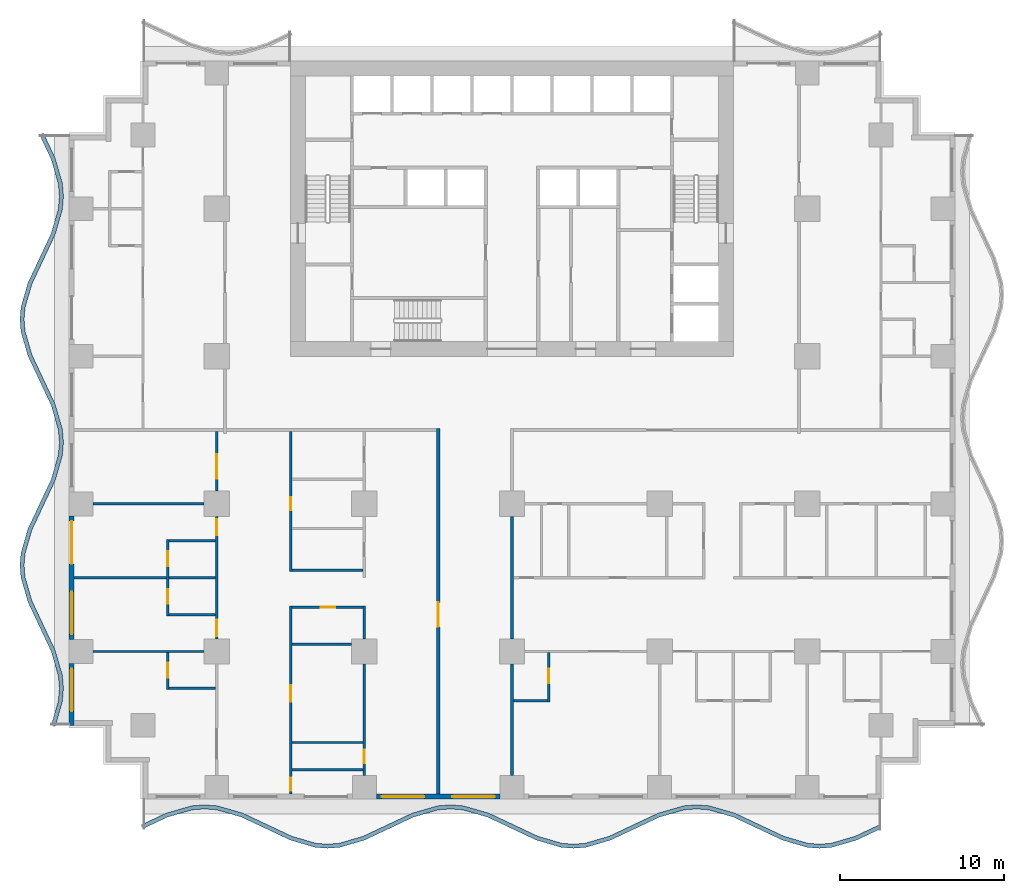
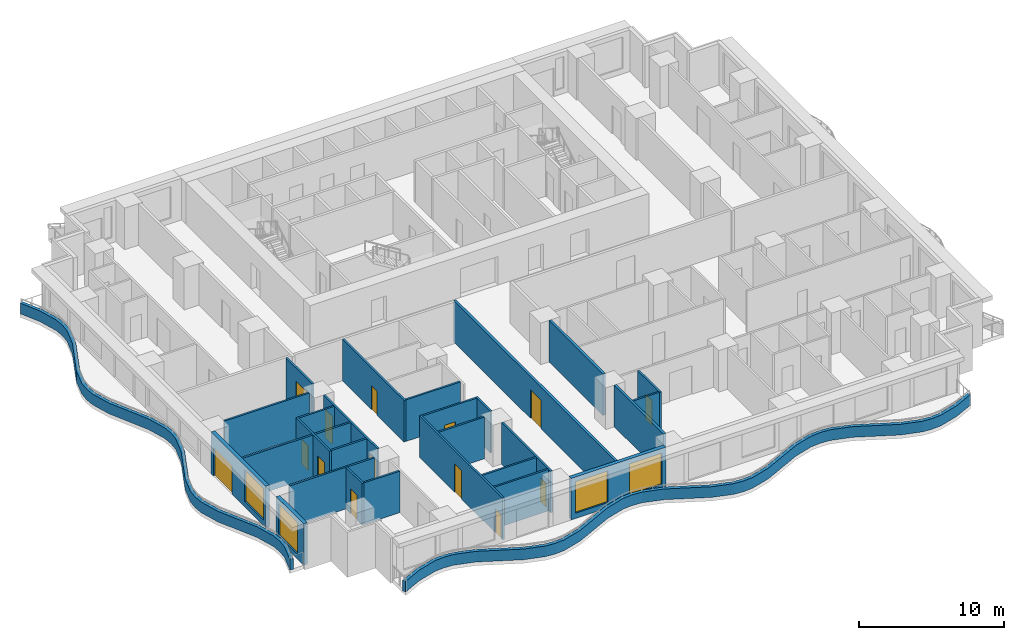
# One storey, part 2 of 14: 30 walls, 14 doors, 4 windows, 18 openings.
"""IFC4 building model written with IfcOpenShell, lengths in metres."""

from ifc_helpers import new_model, si_unit, direction, frame, frame_2d, origin, place, context, subcontext, project, spatial, polyline, rectangle, outline, extrude, material, layer, layer_set, type_object, element, fill, save


model = new_model("IFC4")

# Units and contexts
model_context = context("Model", 3, precision=1e-05, world=origin(), true_north=direction((0.0, 1.0)))
body_context = subcontext(model_context, "Body", "Model", "MODEL_VIEW")
ifc_project = project(units=[si_unit("LENGTHUNIT", "METRE"), si_unit("AREAUNIT", "SQUARE_METRE"), si_unit("VOLUMEUNIT", "CUBIC_METRE"), si_unit("PLANEANGLEUNIT", "RADIAN"), si_unit("MASSUNIT", "GRAM", prefix="KILO")], contexts=[model_context])

# Site, building, storey
site_placement = place(None, origin())
site = spatial("IfcSite", under=ifc_project, at=site_placement, CompositionType="ELEMENT")
building_placement = place(site_placement, origin())
building = spatial("IfcBuilding", under=site, at=building_placement, Name="Orbiselva Terraces", CompositionType="ELEMENT")
storey_placement = place(building_placement, frame((0.0, 0.0, 30.2)))
storey = spatial("IfcBuildingStorey", under=building, at=storey_placement, Name="L07", CompositionType="ELEMENT", Elevation=30.2)

# Walls
ifc_material_1 = material(Name="Concrete C40/50", Category="concrete")
ifc_layer_1 = layer(ifc_material_1, 0.25)
ifc_layer_set_1 = layer_set([ifc_layer_1], Name="Concrete C40/50")
wall_type_1 = type_object("IfcWallType", Name="ENV-PLANTER-250x900", PredefinedType="USERDEFINED", material=ifc_layer_set_1)
wall_1_placement = place(storey_placement, origin())
element("IfcWall", 1, at=wall_1_placement, inside=storey, type_object=wall_type_1, Name="Balcony planter L07 S", ObjectType="PLANTER", PredefinedType="USERDEFINED", context=body_context, shape_type="SweptSolid", body=[
    extrude(outline(polyline([(-22.5, -24.3), (-21.0, -23.594658), (-19.5, -23.158732), (-18.75, -23.1), (-18.0, -23.158732), (-16.5, -23.594658), (-15.0, -24.3), (-13.5, -25.005342), (-12.0, -25.441268), (-11.25, -25.5), (-10.5, -25.441268), (-9.0, -25.005342), (-7.5, -24.3), (-6.0, -23.594658), (-4.5, -23.158732), (-3.75, -23.1), (-3.0, -23.158732), (-1.5, -23.594658), (0.0, -24.3), (1.5, -25.005342), (3.0, -25.441268), (3.75, -25.5), (4.5, -25.441268), (6.0, -25.005342), (7.5, -24.3), (9.0, -23.594658), (10.5, -23.158732), (11.25, -23.1), (12.0, -23.158732), (13.5, -23.594658), (15.0, -24.3), (16.5, -25.005342), (18.0, -25.441268), (18.75, -25.5), (19.5, -25.441268), (21.0, -25.005342), (22.5, -24.3), (22.393617, -24.073764), (20.911382, -24.770753), (19.454886, -25.194035), (18.75, -25.249235), (18.045114, -25.194035), (16.588618, -24.770753), (15.106383, -24.073764), (13.588618, -23.360069), (12.045114, -22.911499), (11.25, -22.849235), (10.454886, -22.911499), (8.911382, -23.360069), (7.393617, -24.073764), (5.911382, -24.770753), (4.454886, -25.194035), (3.75, -25.249235), (3.045114, -25.194035), (1.588618, -24.770753), (0.106383, -24.073764), (-1.411382, -23.360069), (-2.954886, -22.911499), (-3.75, -22.849235), (-4.545114, -22.911499), (-6.088618, -23.360069), (-7.606383, -24.073764), (-9.088618, -24.770753), (-10.545114, -25.194035), (-11.25, -25.249235), (-11.954886, -25.194035), (-13.411382, -24.770753), (-14.893617, -24.073764), (-16.411382, -23.360069), (-17.954886, -22.911499), (-18.75, -22.849235), (-19.545114, -22.911499), (-21.088618, -23.360069), (-22.606383, -24.073764), (-22.5, -24.3)])), origin(), (0.0, 0.0, 1.0), 0.9),
])
wall_2_placement = place(storey_placement, origin())
element("IfcWall", 2, at=wall_2_placement, inside=storey, type_object=wall_type_1, Name="Balcony planter L07 W", ObjectType="PLANTER", PredefinedType="USERDEFINED", context=body_context, shape_type="SweptSolid", body=[
    extrude(outline(polyline([(-28.8, 18.0), (-28.094658, 16.5), (-27.658732, 15.0), (-27.6, 14.25), (-27.658732, 13.5), (-28.094658, 12.0), (-28.8, 10.5), (-29.505342, 9.0), (-29.941268, 7.5), (-30.0, 6.75), (-29.941268, 6.0), (-29.505342, 4.5), (-28.8, 3.0), (-28.094658, 1.5), (-27.658732, 0.0), (-27.6, -0.75), (-27.658732, -1.5), (-28.094658, -3.0), (-28.8, -4.5), (-29.505342, -6.0), (-29.941268, -7.5), (-30.0, -8.25), (-29.941268, -9.0), (-29.505342, -10.5), (-28.8, -12.0), (-28.094658, -13.5), (-27.658732, -15.0), (-27.6, -15.75), (-27.658732, -16.5), (-28.094658, -18.0), (-27.85459, -18.069768), (-27.411499, -16.545114), (-27.349235, -15.75), (-27.411499, -14.954886), (-27.860069, -13.411382), (-28.573764, -11.893617), (-29.270753, -10.411382), (-29.694035, -8.954886), (-29.749235, -8.25), (-29.694035, -7.545114), (-29.270753, -6.088618), (-28.573764, -4.606383), (-27.860069, -3.088618), (-27.411499, -1.545114), (-27.349235, -0.75), (-27.411499, 0.045114), (-27.860069, 1.588618), (-28.573764, 3.106383), (-29.270753, 4.588618), (-29.694035, 6.045114), (-29.749235, 6.75), (-29.694035, 7.454886), (-29.270753, 8.911382), (-28.573764, 10.393617), (-27.860069, 11.911382), (-27.411499, 13.454886), (-27.349235, 14.25), (-27.411499, 15.045114), (-27.860069, 16.588618), (-28.573764, 18.106383), (-28.8, 18.0)])), origin(), (0.0, 0.0, 1.0), 0.9),
])

# Wall, openings, windows
ifc_material_2 = material(Name="Terracotta cladding on masonry backing", Category="masonry")
ifc_layer_2 = layer(ifc_material_2, 0.3)
ifc_layer_set_2 = layer_set([ifc_layer_2], Name="Terracotta cladding on masonry backing")
wall_type_2 = type_object("IfcWallType", Name="ENV-WALL-TERRACOTTA-300", PredefinedType="SOLIDWALL", material=ifc_layer_set_2)
wall_3_placement = place(storey_placement, frame((-0.725, -22.35, 0.0), z_axis=(0.0, 0.0, 1.0), x_axis=(-1.0, 0.0, 0.0)))
wall_3 = element("IfcWall", 3, at=wall_3_placement, inside=storey, type_object=wall_type_2, Name="Facade wall L07 S", PredefinedType="SOLIDWALL", context=body_context, shape_type="SweptSolid", body=[
    extrude(rectangle(XDim=7.55, YDim=0.3, at=frame_2d((3.775, 0.0))), origin(), (0.0, 0.0, 1.0), 3.5),
])
opening_1_placement = place(wall_3_placement, frame((4.625, 0.0, 0.45)))
opening_1 = element("IfcOpeningElement", 4, at=opening_1_placement, cuts=wall_3, Name="Opening WN1", PredefinedType="OPENING", context=body_context, shape_type="SweptSolid", body=[
    extrude(rectangle(XDim=2.6, YDim=2.65, at=frame_2d((1.3, 1.325))), frame((0.0, 0.16, 0.0), z_axis=(0.0, -1.0, 0.0), x_axis=(1.0, 0.0, 0.0)), (0.0, 0.0, 1.0), 0.32),
])
opening_2_placement = place(wall_3_placement, frame((0.325, 0.0, 0.45)))
opening_2 = element("IfcOpeningElement", 5, at=opening_2_placement, cuts=wall_3, Name="Opening WN1", PredefinedType="OPENING", context=body_context, shape_type="SweptSolid", body=[
    extrude(rectangle(XDim=2.6, YDim=2.65, at=frame_2d((1.3, 1.325))), frame((0.0, 0.16, 0.0), z_axis=(0.0, -1.0, 0.0), x_axis=(1.0, 0.0, 0.0)), (0.0, 0.0, 1.0), 0.32),
])
ifc_material_3 = material(Name="Clear low-e glazing in aluminium frame", Category="aluminium")
window_type = type_object("IfcWindowType", Name="WINDOW 2600 X 2650 S450", PartitioningType="TRIPLE_PANEL_VERTICAL", PredefinedType="WINDOW", material=ifc_material_3)
window_1_placement = place(opening_1_placement, origin())
window_1 = element("IfcWindow", 6, at=window_1_placement, inside=storey, type_object=window_type, Name="Window L07 S", OverallHeight=2.65, OverallWidth=2.6, PartitioningType="SINGLE_PANEL", PredefinedType="WINDOW", context=body_context, shape_type="SweptSolid", body=[
    extrude(rectangle(XDim=2.6, YDim=2.65, at=frame_2d((1.3, 1.325))), frame((0.0, 0.03, 0.0), z_axis=(0.0, -1.0, 0.0), x_axis=(1.0, 0.0, 0.0)), (0.0, 0.0, 1.0), 0.06),
])
fill(opening_1, window_1)
window_2_placement = place(opening_2_placement, origin())
window_2 = element("IfcWindow", 7, at=window_2_placement, inside=storey, type_object=window_type, Name="Window L07 S", OverallHeight=2.65, OverallWidth=2.6, PartitioningType="SINGLE_PANEL", PredefinedType="WINDOW", context=body_context, shape_type="SweptSolid", body=[
    extrude(rectangle(XDim=2.6, YDim=2.65, at=frame_2d((1.3, 1.325))), frame((0.0, 0.03, 0.0), z_axis=(0.0, -1.0, 0.0), x_axis=(1.0, 0.0, 0.0)), (0.0, 0.0, 1.0), 0.06),
])
fill(opening_2, window_2)

# Wall, openings, door, window
wall_4_placement = place(storey_placement, frame((-26.85, -12.775, 0.0), z_axis=(0.0, 0.0, 1.0), x_axis=(0.0, 1.0, 0.0)))
wall_4 = element("IfcWall", 8, at=wall_4_placement, inside=storey, type_object=wall_type_2, Name="Facade wall L07 W", PredefinedType="SOLIDWALL", context=body_context, shape_type="SweptSolid", body=[
    extrude(rectangle(XDim=7.55, YDim=0.3, at=frame_2d((3.775, 0.0))), origin(), (0.0, 0.0, 1.0), 3.5),
])
opening_3_placement = place(wall_4_placement, frame((4.625, 0.0, 0.0)))
opening_3 = element("IfcOpeningElement", 9, at=opening_3_placement, cuts=wall_4, Name="Opening Z1-B-E17", PredefinedType="OPENING", context=body_context, shape_type="SweptSolid", body=[
    extrude(rectangle(XDim=2.6, YDim=2.4, at=frame_2d((1.3, 1.2))), frame((0.0, 0.16, 0.0), z_axis=(0.0, -1.0, 0.0), x_axis=(1.0, 0.0, 0.0)), (0.0, 0.0, 1.0), 0.32),
])
opening_4_placement = place(wall_4_placement, frame((0.325, 0.0, 0.45)))
opening_4 = element("IfcOpeningElement", 10, at=opening_4_placement, cuts=wall_4, Name="Opening WN1", PredefinedType="OPENING", context=body_context, shape_type="SweptSolid", body=[
    extrude(rectangle(XDim=2.6, YDim=2.65, at=frame_2d((1.3, 1.325))), frame((0.0, 0.16, 0.0), z_axis=(0.0, -1.0, 0.0), x_axis=(1.0, 0.0, 0.0)), (0.0, 0.0, 1.0), 0.32),
])
door_type_1 = type_object("IfcDoorType", Name="BALCONY DOOR 2600 X 2400", OperationType="DOUBLE_DOOR_SLIDING", PredefinedType="DOOR", material=ifc_material_3)
door_1_placement = place(opening_3_placement, origin())
door_1 = element("IfcDoor", 11, at=door_1_placement, inside=storey, type_object=door_type_1, Name="Z1-B-E17", OperationType="SINGLE_SWING_LEFT", OverallHeight=2.4, OverallWidth=2.6, PredefinedType="DOOR", context=body_context, shape_type="SweptSolid", body=[
    extrude(rectangle(XDim=2.6, YDim=2.4, at=frame_2d((1.3, 1.2))), frame((0.0, 0.025, 0.0), z_axis=(0.0, -1.0, 0.0), x_axis=(1.0, 0.0, 0.0)), (0.0, 0.0, 1.0), 0.05),
])
fill(opening_3, door_1)
window_3_placement = place(opening_4_placement, origin())
window_3 = element("IfcWindow", 12, at=window_3_placement, inside=storey, type_object=window_type, Name="Window L07 W", OverallHeight=2.65, OverallWidth=2.6, PartitioningType="SINGLE_PANEL", PredefinedType="WINDOW", context=body_context, shape_type="SweptSolid", body=[
    extrude(rectangle(XDim=2.6, YDim=2.65, at=frame_2d((1.3, 1.325))), frame((0.0, 0.03, 0.0), z_axis=(0.0, -1.0, 0.0), x_axis=(1.0, 0.0, 0.0)), (0.0, 0.0, 1.0), 0.06),
])
fill(opening_4, window_3)

# Wall, opening, window
wall_5_placement = place(storey_placement, frame((-26.85, -18.0, 0.0), z_axis=(0.0, 0.0, 1.0), x_axis=(0.0, 1.0, 0.0)))
wall_5 = element("IfcWall", 13, at=wall_5_placement, inside=storey, type_object=wall_type_2, Name="Facade wall L07 W", PredefinedType="SOLIDWALL", context=body_context, shape_type="SweptSolid", body=[
    extrude(rectangle(XDim=3.775, YDim=0.3, at=frame_2d((1.8875, 0.0))), origin(), (0.0, 0.0, 1.0), 3.5),
])
opening_5_placement = place(wall_5_placement, frame((0.85, 0.0, 0.45)))
opening_5 = element("IfcOpeningElement", 14, at=opening_5_placement, cuts=wall_5, Name="Opening WN1", PredefinedType="OPENING", context=body_context, shape_type="SweptSolid", body=[
    extrude(rectangle(XDim=2.6, YDim=2.65, at=frame_2d((1.3, 1.325))), frame((0.0, 0.16, 0.0), z_axis=(0.0, -1.0, 0.0), x_axis=(1.0, 0.0, 0.0)), (0.0, 0.0, 1.0), 0.32),
])
window_4_placement = place(opening_5_placement, origin())
window_4 = element("IfcWindow", 15, at=window_4_placement, inside=storey, type_object=window_type, Name="Window L07 W", OverallHeight=2.65, OverallWidth=2.6, PartitioningType="SINGLE_PANEL", PredefinedType="WINDOW", context=body_context, shape_type="SweptSolid", body=[
    extrude(rectangle(XDim=2.6, YDim=2.65, at=frame_2d((1.3, 1.325))), frame((0.0, 0.03, 0.0), z_axis=(0.0, -1.0, 0.0), x_axis=(1.0, 0.0, 0.0)), (0.0, 0.0, 1.0), 0.06),
])
fill(opening_5, window_4)

# Wall, opening, door
ifc_material_4 = material(Name="Plasterboard on steel stud partition", Category="steel")
ifc_layer_3 = layer(ifc_material_4, 0.2)
ifc_layer_set_3 = layer_set([ifc_layer_3], Name="Plasterboard on steel stud partition")
wall_type_3 = type_object("IfcWallType", Name="UNIT-ENTRANCE-WALL-200", PredefinedType="PARTITIONING", material=ifc_layer_set_3)
wall_6_placement = place(storey_placement, frame((-4.5, -22.2, 0.0), z_axis=(0.0, 0.0, 1.0), x_axis=(0.0, 1.0, 0.0)))
wall_6 = element("IfcWall", 16, at=wall_6_placement, inside=storey, type_object=wall_type_3, Name="PARTITION L07-058", PredefinedType="PARTITIONING", context=body_context, shape_type="SweptSolid", body=[
    extrude(rectangle(XDim=22.3, YDim=0.2, at=frame_2d((11.15, 0.0))), origin(), (0.0, 0.0, 1.0), 3.5),
])
opening_6_placement = place(wall_6_placement, frame((10.2, 0.0, 0.0)))
opening_6 = element("IfcOpeningElement", 17, at=opening_6_placement, cuts=wall_6, Name="Opening Z1-B-13", PredefinedType="OPENING", context=body_context, shape_type="SweptSolid", body=[
    extrude(rectangle(XDim=1.5, YDim=2.4, at=frame_2d((0.75, 1.2))), frame((0.0, 0.11, 0.0), z_axis=(0.0, -1.0, 0.0), x_axis=(1.0, 0.0, 0.0)), (0.0, 0.0, 1.0), 0.22),
])
ifc_material_5 = material(Name="Painted timber door leaf", Category="wood")
door_type_2 = type_object("IfcDoorType", Name="ENTRANCE DOUBLE DOOR 1500", OperationType="NOTDEFINED", PredefinedType="DOOR", material=ifc_material_5)
door_2_placement = place(opening_6_placement, origin())
door_2 = element("IfcDoor", 18, at=door_2_placement, inside=storey, type_object=door_type_2, Name="Z1-B-13", OperationType="DOUBLE_DOOR_SINGLE_SWING", OverallHeight=2.4, OverallWidth=1.5, PredefinedType="DOOR", context=body_context, shape_type="SweptSolid", body=[
    extrude(rectangle(XDim=1.5, YDim=2.4, at=frame_2d((0.75, 1.2))), frame((0.0, 0.025, 0.0), z_axis=(0.0, -1.0, 0.0), x_axis=(1.0, 0.0, 0.0)), (0.0, 0.0, 1.0), 0.05),
])
fill(opening_6, door_2)

# Walls
wall_7_placement = place(storey_placement, frame((0.0, -21.05, 0.0), z_axis=(0.0, 0.0, 1.0), x_axis=(0.0, 1.0, 0.0)))
element("IfcWall", 19, at=wall_7_placement, inside=storey, type_object=wall_type_3, Name="PARTITION L07-059", PredefinedType="PARTITIONING", context=body_context, shape_type="SweptSolid", body=[
    extrude(rectangle(XDim=6.775, YDim=0.2, at=frame_2d((3.3875, 0.0))), origin(), (0.0, 0.0, 1.0), 3.5),
])
wall_8_placement = place(storey_placement, frame((0.0, -12.725, 0.0), z_axis=(0.0, 0.0, 1.0), x_axis=(0.0, 1.0, 0.0)))
element("IfcWall", 20, at=wall_8_placement, inside=storey, type_object=wall_type_3, Name="PARTITION L07-060", PredefinedType="PARTITIONING", context=body_context, shape_type="SweptSolid", body=[
    extrude(rectangle(XDim=7.45, YDim=0.2, at=frame_2d((3.725, 0.0))), origin(), (0.0, 0.0, 1.0), 3.5),
])
ifc_layer_4 = layer(ifc_material_4, 0.15)
ifc_layer_set_4 = layer_set([ifc_layer_4], Name="Plasterboard on steel stud partition")
wall_type_4 = type_object("IfcWallType", Name="UNIT-PARTITION-150", PredefinedType="PARTITIONING", material=ifc_layer_set_4)
for number, where, z_axis, x_axis, name in (
    (21, (-13.425, -20.7, 0.0), (0.0, 0.0, 1.0), (1.0, 0.0, 0.0), "PARTITION L07-001"),
    (22, (-13.425, -19.05, 0.0), (0.0, 0.0, 1.0), (1.0, 0.0, 0.0), "PARTITION L07-002"),
):
    element("IfcWall", number, at=place(storey_placement, frame(where, z_axis=z_axis, x_axis=x_axis)), inside=storey, type_object=wall_type_4, Name=name, PredefinedType="PARTITIONING", context=body_context, shape_type="SweptSolid", body=[
        extrude(rectangle(XDim=4.35, YDim=0.15, at=frame_2d((2.175, 0.0))), origin(), (0.0, 0.0, 1.0), 3.5),
    ])
wall_9_placement = place(storey_placement, frame((0.1, -16.5, 0.0), z_axis=(0.0, 0.0, 1.0), x_axis=(1.0, 0.0, 0.0)))
element("IfcWall", 23, at=wall_9_placement, inside=storey, type_object=wall_type_4, Name="PARTITION L07-003", PredefinedType="PARTITIONING", context=body_context, shape_type="SweptSolid", body=[
    extrude(rectangle(XDim=2.075, YDim=0.15, at=frame_2d((1.0375, 0.0))), origin(), (0.0, 0.0, 1.0), 3.5),
])
wall_10_placement = place(storey_placement, frame((-20.925, -15.75, 0.0), z_axis=(0.0, 0.0, 1.0), x_axis=(1.0, 0.0, 0.0)))
element("IfcWall", 24, at=wall_10_placement, inside=storey, type_object=wall_type_4, Name="PARTITION L07-007", PredefinedType="PARTITIONING", context=body_context, shape_type="SweptSolid", body=[
    extrude(rectangle(XDim=2.85, YDim=0.15, at=frame_2d((1.425, 0.0))), origin(), (0.0, 0.0, 1.0), 3.5),
])
wall_11_placement = place(storey_placement, frame((-25.55, -13.5, 0.0), z_axis=(0.0, 0.0, 1.0), x_axis=(1.0, 0.0, 0.0)))
element("IfcWall", 25, at=wall_11_placement, inside=storey, type_object=wall_type_4, Name="PARTITION L07-008", PredefinedType="PARTITIONING", context=body_context, shape_type="SweptSolid", body=[
    extrude(rectangle(XDim=6.775, YDim=0.15, at=frame_2d((3.3875, 0.0))), origin(), (0.0, 0.0, 1.0), 3.5),
])
wall_12_placement = place(storey_placement, frame((-13.425, -13.05, 0.0), z_axis=(0.0, 0.0, 1.0), x_axis=(1.0, 0.0, 0.0)))
element("IfcWall", 26, at=wall_12_placement, inside=storey, type_object=wall_type_4, Name="PARTITION L07-012", PredefinedType="PARTITIONING", context=body_context, shape_type="SweptSolid", body=[
    extrude(rectangle(XDim=3.65, YDim=0.15, at=frame_2d((1.825, 0.0))), origin(), (0.0, 0.0, 1.0), 3.5),
])
wall_13_placement = place(storey_placement, frame((-20.925, -11.25, 0.0), z_axis=(0.0, 0.0, 1.0), x_axis=(1.0, 0.0, 0.0)))
element("IfcWall", 27, at=wall_13_placement, inside=storey, type_object=wall_type_4, Name="PARTITION L07-013", PredefinedType="PARTITIONING", context=body_context, shape_type="SweptSolid", body=[
    extrude(rectangle(XDim=2.85, YDim=0.15, at=frame_2d((1.425, 0.0))), origin(), (0.0, 0.0, 1.0), 3.5),
])

# Wall, opening, door
wall_14_placement = place(storey_placement, frame((-9.075, -10.8, 0.0), z_axis=(0.0, 0.0, 1.0), x_axis=(-1.0, 0.0, 0.0)))
wall_14 = element("IfcWall", 28, at=wall_14_placement, inside=storey, type_object=wall_type_4, Name="PARTITION L07-014", PredefinedType="PARTITIONING", context=body_context, shape_type="SweptSolid", body=[
    extrude(rectangle(XDim=4.35, YDim=0.15, at=frame_2d((2.175, 0.0))), origin(), (0.0, 0.0, 1.0), 3.5),
])
opening_7_placement = place(wall_14_placement, frame((1.7, 0.0, 0.0)))
opening_7 = element("IfcOpeningElement", 29, at=opening_7_placement, cuts=wall_14, Name="Opening Z1-B-17", PredefinedType="OPENING", context=body_context, shape_type="SweptSolid", body=[
    extrude(rectangle(XDim=0.9, YDim=2.1, at=frame_2d((0.45, 1.05))), frame((0.0, 0.085, 0.0), z_axis=(0.0, -1.0, 0.0), x_axis=(1.0, 0.0, 0.0)), (0.0, 0.0, 1.0), 0.17),
])
door_type_3 = type_object("IfcDoorType", Name="BATH DOOR 900", OperationType="NOTDEFINED", PredefinedType="DOOR", material=ifc_material_5)
door_3_placement = place(opening_7_placement, origin())
door_3 = element("IfcDoor", 30, at=door_3_placement, inside=storey, type_object=door_type_3, Name="Z1-B-17", OperationType="SINGLE_SWING_LEFT", OverallHeight=2.1, OverallWidth=0.9, PredefinedType="DOOR", context=body_context, shape_type="SweptSolid", body=[
    extrude(rectangle(XDim=0.9, YDim=2.1, at=frame_2d((0.45, 1.05))), frame((0.0, 0.025, 0.0), z_axis=(0.0, -1.0, 0.0), x_axis=(1.0, 0.0, 0.0)), (0.0, 0.0, 1.0), 0.05),
])
fill(opening_7, door_3)

# Walls
wall_15_placement = place(storey_placement, frame((-26.7, -9.0, 0.0), z_axis=(0.0, 0.0, 1.0), x_axis=(1.0, 0.0, 0.0)))
element("IfcWall", 31, at=wall_15_placement, inside=storey, type_object=wall_type_4, Name="PARTITION L07-015", PredefinedType="PARTITIONING", context=body_context, shape_type="SweptSolid", body=[
    extrude(rectangle(XDim=5.625, YDim=0.15, at=frame_2d((2.8125, 0.0))), origin(), (0.0, 0.0, 1.0), 3.5),
])
wall_16_placement = place(storey_placement, frame((-20.925, -9.0, 0.0), z_axis=(0.0, 0.0, 1.0), x_axis=(1.0, 0.0, 0.0)))
element("IfcWall", 32, at=wall_16_placement, inside=storey, type_object=wall_type_4, Name="PARTITION L07-016", PredefinedType="PARTITIONING", context=body_context, shape_type="SweptSolid", body=[
    extrude(rectangle(XDim=2.85, YDim=0.15, at=frame_2d((1.425, 0.0))), origin(), (0.0, 0.0, 1.0), 3.5),
])
wall_17_placement = place(storey_placement, frame((-13.425, -8.55, 0.0), z_axis=(0.0, 0.0, 1.0), x_axis=(1.0, 0.0, 0.0)))
element("IfcWall", 33, at=wall_17_placement, inside=storey, type_object=wall_type_4, Name="PARTITION L07-019", PredefinedType="PARTITIONING", context=body_context, shape_type="SweptSolid", body=[
    extrude(rectangle(XDim=4.35, YDim=0.15, at=frame_2d((2.175, 0.0))), origin(), (0.0, 0.0, 1.0), 3.5),
])
wall_18_placement = place(storey_placement, frame((-20.925, -6.75, 0.0), z_axis=(0.0, 0.0, 1.0), x_axis=(1.0, 0.0, 0.0)))
element("IfcWall", 34, at=wall_18_placement, inside=storey, type_object=wall_type_4, Name="PARTITION L07-020", PredefinedType="PARTITIONING", context=body_context, shape_type="SweptSolid", body=[
    extrude(rectangle(XDim=2.85, YDim=0.15, at=frame_2d((1.425, 0.0))), origin(), (0.0, 0.0, 1.0), 3.5),
])
wall_19_placement = place(storey_placement, frame((-25.55, -4.5, 0.0), z_axis=(0.0, 0.0, 1.0), x_axis=(1.0, 0.0, 0.0)))
element("IfcWall", 35, at=wall_19_placement, inside=storey, type_object=wall_type_4, Name="PARTITION L07-022", PredefinedType="PARTITIONING", context=body_context, shape_type="SweptSolid", body=[
    extrude(rectangle(XDim=6.775, YDim=0.15, at=frame_2d((3.3875, 0.0))), origin(), (0.0, 0.0, 1.0), 3.5),
])

# Wall, opening, door
wall_20_placement = place(storey_placement, frame((-21.0, -13.575, 0.0), z_axis=(0.0, 0.0, 1.0), x_axis=(0.0, -1.0, 0.0)))
wall_20 = element("IfcWall", 36, at=wall_20_placement, inside=storey, type_object=wall_type_4, Name="PARTITION L07-044", PredefinedType="PARTITIONING", context=body_context, shape_type="SweptSolid", body=[
    extrude(rectangle(XDim=2.25, YDim=0.15, at=frame_2d((1.125, 0.0))), origin(), (0.0, 0.0, 1.0), 3.5),
])
opening_8_placement = place(wall_20_placement, frame((0.625, 0.0, 0.0)))
opening_8 = element("IfcOpeningElement", 37, at=opening_8_placement, cuts=wall_20, Name="Opening Z1-B-22", PredefinedType="OPENING", context=body_context, shape_type="SweptSolid", body=[
    extrude(rectangle(XDim=0.9, YDim=2.1, at=frame_2d((0.45, 1.05))), frame((0.0, 0.085, 0.0), z_axis=(0.0, -1.0, 0.0), x_axis=(1.0, 0.0, 0.0)), (0.0, 0.0, 1.0), 0.17),
])
door_4_placement = place(opening_8_placement, origin())
door_4 = element("IfcDoor", 38, at=door_4_placement, inside=storey, type_object=door_type_3, Name="Z1-B-22", OperationType="SINGLE_SWING_LEFT", OverallHeight=2.1, OverallWidth=0.9, PredefinedType="DOOR", context=body_context, shape_type="SweptSolid", body=[
    extrude(rectangle(XDim=0.9, YDim=2.1, at=frame_2d((0.45, 1.05))), frame((0.0, 0.025, 0.0), z_axis=(0.0, -1.0, 0.0), x_axis=(1.0, 0.0, 0.0)), (0.0, 0.0, 1.0), 0.05),
])
fill(opening_8, door_4)

# Wall, openings, doors
wall_21_placement = place(storey_placement, frame((-21.0, -6.675, 0.0), z_axis=(0.0, 0.0, 1.0), x_axis=(0.0, -1.0, 0.0)))
wall_21 = element("IfcWall", 39, at=wall_21_placement, inside=storey, type_object=wall_type_4, Name="PARTITION L07-045", PredefinedType="PARTITIONING", context=body_context, shape_type="SweptSolid", body=[
    extrude(rectangle(XDim=4.65, YDim=0.15, at=frame_2d((2.325, 0.0))), origin(), (0.0, 0.0, 1.0), 3.5),
])
opening_9_placement = place(wall_21_placement, frame((3.025, 0.0, 0.0)))
opening_9 = element("IfcOpeningElement", 40, at=opening_9_placement, cuts=wall_21, Name="Opening Z1-B-24", PredefinedType="OPENING", context=body_context, shape_type="SweptSolid", body=[
    extrude(rectangle(XDim=0.9, YDim=2.1, at=frame_2d((0.45, 1.05))), frame((0.0, 0.085, 0.0), z_axis=(0.0, -1.0, 0.0), x_axis=(1.0, 0.0, 0.0)), (0.0, 0.0, 1.0), 0.17),
])
opening_10_placement = place(wall_21_placement, frame((0.725, 0.0, 0.0)))
opening_10 = element("IfcOpeningElement", 41, at=opening_10_placement, cuts=wall_21, Name="Opening Z1-B-26", PredefinedType="OPENING", context=body_context, shape_type="SweptSolid", body=[
    extrude(rectangle(XDim=0.9, YDim=2.1, at=frame_2d((0.45, 1.05))), frame((0.0, 0.085, 0.0), z_axis=(0.0, -1.0, 0.0), x_axis=(1.0, 0.0, 0.0)), (0.0, 0.0, 1.0), 0.17),
])
door_5_placement = place(opening_9_placement, origin())
door_5 = element("IfcDoor", 42, at=door_5_placement, inside=storey, type_object=door_type_3, Name="Z1-B-24", OperationType="SINGLE_SWING_RIGHT", OverallHeight=2.1, OverallWidth=0.9, PredefinedType="DOOR", context=body_context, shape_type="SweptSolid", body=[
    extrude(rectangle(XDim=0.9, YDim=2.1, at=frame_2d((0.45, 1.05))), frame((0.0, 0.025, 0.0), z_axis=(0.0, -1.0, 0.0), x_axis=(1.0, 0.0, 0.0)), (0.0, 0.0, 1.0), 0.05),
])
fill(opening_9, door_5)
door_6_placement = place(opening_10_placement, origin())
door_6 = element("IfcDoor", 43, at=door_6_placement, inside=storey, type_object=door_type_3, Name="Z1-B-26", OperationType="SINGLE_SWING_LEFT", OverallHeight=2.1, OverallWidth=0.9, PredefinedType="DOOR", context=body_context, shape_type="SweptSolid", body=[
    extrude(rectangle(XDim=0.9, YDim=2.1, at=frame_2d((0.45, 1.05))), frame((0.0, 0.025, 0.0), z_axis=(0.0, -1.0, 0.0), x_axis=(1.0, 0.0, 0.0)), (0.0, 0.0, 1.0), 0.05),
])
fill(opening_10, door_6)

wall_22_placement = place(storey_placement, frame((-18.0, -12.725, 0.0), z_axis=(0.0, 0.0, 1.0), x_axis=(0.0, 1.0, 0.0)))
wall_22 = element("IfcWall", 44, at=wall_22_placement, inside=storey, type_object=wall_type_4, Name="PARTITION L07-047", PredefinedType="PARTITIONING", context=body_context, shape_type="SweptSolid", body=[
    extrude(rectangle(XDim=7.45, YDim=0.15, at=frame_2d((3.725, 0.0))), origin(), (0.0, 0.0, 1.0), 3.5),
])
opening_11_placement = place(wall_22_placement, frame((0.15, 0.0, 0.0)))
opening_11 = element("IfcOpeningElement", 45, at=opening_11_placement, cuts=wall_22, Name="Opening Z1-B-23", PredefinedType="OPENING", context=body_context, shape_type="SweptSolid", body=[
    extrude(rectangle(XDim=1.0, YDim=2.4, at=frame_2d((0.5, 1.2))), frame((0.0, 0.085, 0.0), z_axis=(0.0, -1.0, 0.0), x_axis=(1.0, 0.0, 0.0)), (0.0, 0.0, 1.0), 0.17),
])
opening_12_placement = place(wall_22_placement, frame((6.3, 0.0, 0.0)))
opening_12 = element("IfcOpeningElement", 46, at=opening_12_placement, cuts=wall_22, Name="Opening Z1-B-25", PredefinedType="OPENING", context=body_context, shape_type="SweptSolid", body=[
    extrude(rectangle(XDim=1.0, YDim=2.4, at=frame_2d((0.5, 1.2))), frame((0.0, 0.085, 0.0), z_axis=(0.0, -1.0, 0.0), x_axis=(1.0, 0.0, 0.0)), (0.0, 0.0, 1.0), 0.17),
])
door_type_4 = type_object("IfcDoorType", Name="ROOM DOOR 1000", OperationType="NOTDEFINED", PredefinedType="DOOR", material=ifc_material_5)
door_7_placement = place(opening_11_placement, origin())
door_7 = element("IfcDoor", 47, at=door_7_placement, inside=storey, type_object=door_type_4, Name="Z1-B-23", OperationType="SINGLE_SWING_LEFT", OverallHeight=2.4, OverallWidth=1.0, PredefinedType="DOOR", context=body_context, shape_type="SweptSolid", body=[
    extrude(rectangle(XDim=1.0, YDim=2.4, at=frame_2d((0.5, 1.2))), frame((0.0, 0.025, 0.0), z_axis=(0.0, -1.0, 0.0), x_axis=(1.0, 0.0, 0.0)), (0.0, 0.0, 1.0), 0.05),
])
fill(opening_11, door_7)
door_8_placement = place(opening_12_placement, origin())
door_8 = element("IfcDoor", 48, at=door_8_placement, inside=storey, type_object=door_type_4, Name="Z1-B-25", OperationType="SINGLE_SWING_RIGHT", OverallHeight=2.4, OverallWidth=1.0, PredefinedType="DOOR", context=body_context, shape_type="SweptSolid", body=[
    extrude(rectangle(XDim=1.0, YDim=2.4, at=frame_2d((0.5, 1.2))), frame((0.0, 0.025, 0.0), z_axis=(0.0, -1.0, 0.0), x_axis=(1.0, 0.0, 0.0)), (0.0, 0.0, 1.0), 0.05),
])
fill(opening_12, door_8)

# Wall, opening, door
wall_23_placement = place(storey_placement, frame((-18.0, -3.725, 0.0), z_axis=(0.0, 0.0, 1.0), x_axis=(0.0, 1.0, 0.0)))
wall_23 = element("IfcWall", 49, at=wall_23_placement, inside=storey, type_object=wall_type_4, Name="PARTITION L07-048", PredefinedType="PARTITIONING", context=body_context, shape_type="SweptSolid", body=[
    extrude(rectangle(XDim=3.625, YDim=0.15, at=frame_2d((1.8125, 0.0))), origin(), (0.0, 0.0, 1.0), 3.5),
])
opening_13_placement = place(wall_23_placement, frame((0.75, 0.0, 0.0)))
opening_13 = element("IfcOpeningElement", 50, at=opening_13_placement, cuts=wall_23, Name="Opening Z1-B-27", PredefinedType="OPENING", context=body_context, shape_type="SweptSolid", body=[
    extrude(rectangle(XDim=1.5, YDim=2.4, at=frame_2d((0.75, 1.2))), frame((0.0, 0.085, 0.0), z_axis=(0.0, -1.0, 0.0), x_axis=(1.0, 0.0, 0.0)), (0.0, 0.0, 1.0), 0.17),
])
door_type_5 = type_object("IfcDoorType", Name="DOUBLE DOOR 1500", OperationType="NOTDEFINED", PredefinedType="DOOR", material=ifc_material_5)
door_9_placement = place(opening_13_placement, origin())
door_9 = element("IfcDoor", 51, at=door_9_placement, inside=storey, type_object=door_type_5, Name="Z1-B-27", OperationType="DOUBLE_DOOR_SINGLE_SWING", OverallHeight=2.4, OverallWidth=1.5, PredefinedType="DOOR", context=body_context, shape_type="SweptSolid", body=[
    extrude(rectangle(XDim=1.5, YDim=2.4, at=frame_2d((0.75, 1.2))), frame((0.0, 0.025, 0.0), z_axis=(0.0, -1.0, 0.0), x_axis=(1.0, 0.0, 0.0)), (0.0, 0.0, 1.0), 0.05),
])
fill(opening_13, door_9)

# Wall, openings, doors
wall_24_placement = place(storey_placement, frame((-13.5, -10.725, 0.0), z_axis=(0.0, 0.0, 1.0), x_axis=(0.0, -1.0, 0.0)))
wall_24 = element("IfcWall", 52, at=wall_24_placement, inside=storey, type_object=wall_type_4, Name="PARTITION L07-052", PredefinedType="PARTITIONING", context=body_context, shape_type="SweptSolid", body=[
    extrude(rectangle(XDim=11.475, YDim=0.15, at=frame_2d((5.7375, 0.0))), origin(), (0.0, 0.0, 1.0), 3.5),
])
opening_14_placement = place(wall_24_placement, frame((10.475, 0.0, 0.0)))
opening_14 = element("IfcOpeningElement", 53, at=opening_14_placement, cuts=wall_24, Name="Opening Z1-B-14", PredefinedType="OPENING", context=body_context, shape_type="SweptSolid", body=[
    extrude(rectangle(XDim=0.8, YDim=2.0, at=frame_2d((0.4, 1.0))), frame((0.0, 0.085, 0.0), z_axis=(0.0, -1.0, 0.0), x_axis=(1.0, 0.0, 0.0)), (0.0, 0.0, 1.0), 0.17),
])
opening_15_placement = place(wall_24_placement, frame((4.825, 0.0, 0.0)))
opening_15 = element("IfcOpeningElement", 54, at=opening_15_placement, cuts=wall_24, Name="Opening Z1-B-16", PredefinedType="OPENING", context=body_context, shape_type="SweptSolid", body=[
    extrude(rectangle(XDim=1.0, YDim=2.4, at=frame_2d((0.5, 1.2))), frame((0.0, 0.085, 0.0), z_axis=(0.0, -1.0, 0.0), x_axis=(1.0, 0.0, 0.0)), (0.0, 0.0, 1.0), 0.17),
])
door_10_placement = place(opening_15_placement, origin())
door_10 = element("IfcDoor", 55, at=door_10_placement, inside=storey, type_object=door_type_4, Name="Z1-B-16", OperationType="SINGLE_SWING_LEFT", OverallHeight=2.4, OverallWidth=1.0, PredefinedType="DOOR", context=body_context, shape_type="SweptSolid", body=[
    extrude(rectangle(XDim=1.0, YDim=2.4, at=frame_2d((0.5, 1.2))), frame((0.0, 0.025, 0.0), z_axis=(0.0, -1.0, 0.0), x_axis=(1.0, 0.0, 0.0)), (0.0, 0.0, 1.0), 0.05),
])
fill(opening_15, door_10)
door_type_6 = type_object("IfcDoorType", Name="STORE DOOR 800", OperationType="NOTDEFINED", PredefinedType="DOOR", material=ifc_material_5)
door_11_placement = place(opening_14_placement, origin())
door_11 = element("IfcDoor", 56, at=door_11_placement, inside=storey, type_object=door_type_6, Name="Z1-B-14", OperationType="SINGLE_SWING_RIGHT", OverallHeight=2.0, OverallWidth=0.8, PredefinedType="DOOR", context=body_context, shape_type="SweptSolid", body=[
    extrude(rectangle(XDim=0.8, YDim=2.0, at=frame_2d((0.4, 1.0))), frame((0.0, 0.025, 0.0), z_axis=(0.0, -1.0, 0.0), x_axis=(1.0, 0.0, 0.0)), (0.0, 0.0, 1.0), 0.05),
])
fill(opening_14, door_11)

# Wall, opening, door
wall_25_placement = place(storey_placement, frame((-13.5, -0.1, 0.0), z_axis=(0.0, 0.0, 1.0), x_axis=(0.0, -1.0, 0.0)))
wall_25 = element("IfcWall", 57, at=wall_25_placement, inside=storey, type_object=wall_type_4, Name="PARTITION L07-053", PredefinedType="PARTITIONING", context=body_context, shape_type="SweptSolid", body=[
    extrude(rectangle(XDim=8.525, YDim=0.15, at=frame_2d((4.2625, 0.0))), origin(), (0.0, 0.0, 1.0), 3.5),
])
opening_16_placement = place(wall_25_placement, frame((4.0, 0.0, 0.0)))
opening_16 = element("IfcOpeningElement", 58, at=opening_16_placement, cuts=wall_25, Name="Opening Z1-B-19", PredefinedType="OPENING", context=body_context, shape_type="SweptSolid", body=[
    extrude(rectangle(XDim=0.8, YDim=2.0, at=frame_2d((0.4, 1.0))), frame((0.0, 0.085, 0.0), z_axis=(0.0, -1.0, 0.0), x_axis=(1.0, 0.0, 0.0)), (0.0, 0.0, 1.0), 0.17),
])
door_12_placement = place(opening_16_placement, origin())
door_12 = element("IfcDoor", 59, at=door_12_placement, inside=storey, type_object=door_type_6, Name="Z1-B-19", OperationType="SINGLE_SWING_RIGHT", OverallHeight=2.0, OverallWidth=0.8, PredefinedType="DOOR", context=body_context, shape_type="SweptSolid", body=[
    extrude(rectangle(XDim=0.8, YDim=2.0, at=frame_2d((0.4, 1.0))), frame((0.0, 0.025, 0.0), z_axis=(0.0, -1.0, 0.0), x_axis=(1.0, 0.0, 0.0)), (0.0, 0.0, 1.0), 0.05),
])
fill(opening_16, door_12)

wall_26_placement = place(storey_placement, frame((-9.0, -21.05, 0.0), z_axis=(0.0, 0.0, 1.0), x_axis=(0.0, 1.0, 0.0)))
wall_26 = element("IfcWall", 60, at=wall_26_placement, inside=storey, type_object=wall_type_4, Name="PARTITION L07-054", PredefinedType="PARTITIONING", context=body_context, shape_type="SweptSolid", body=[
    extrude(rectangle(XDim=6.775, YDim=0.15, at=frame_2d((3.3875, 0.0))), origin(), (0.0, 0.0, 1.0), 3.5),
])
opening_17_placement = place(wall_26_placement, frame((0.75, 0.0, 0.0)))
opening_17 = element("IfcOpeningElement", 61, at=opening_17_placement, cuts=wall_26, Name="Opening Z1-B-15", PredefinedType="OPENING", context=body_context, shape_type="SweptSolid", body=[
    extrude(rectangle(XDim=0.8, YDim=2.0, at=frame_2d((0.4, 1.0))), frame((0.0, 0.085, 0.0), z_axis=(0.0, -1.0, 0.0), x_axis=(1.0, 0.0, 0.0)), (0.0, 0.0, 1.0), 0.17),
])
door_13_placement = place(opening_17_placement, origin())
door_13 = element("IfcDoor", 62, at=door_13_placement, inside=storey, type_object=door_type_6, Name="Z1-B-15", OperationType="SINGLE_SWING_LEFT", OverallHeight=2.0, OverallWidth=0.8, PredefinedType="DOOR", context=body_context, shape_type="SweptSolid", body=[
    extrude(rectangle(XDim=0.8, YDim=2.0, at=frame_2d((0.4, 1.0))), frame((0.0, 0.025, 0.0), z_axis=(0.0, -1.0, 0.0), x_axis=(1.0, 0.0, 0.0)), (0.0, 0.0, 1.0), 0.05),
])
fill(opening_17, door_13)

# Wall
wall_27_placement = place(storey_placement, frame((-9.0, -12.725, 0.0), z_axis=(0.0, 0.0, 1.0), x_axis=(0.0, 1.0, 0.0)))
element("IfcWall", 63, at=wall_27_placement, inside=storey, type_object=wall_type_4, Name="PARTITION L07-055", PredefinedType="PARTITIONING", context=body_context, shape_type="SweptSolid", body=[
    extrude(rectangle(XDim=2.0, YDim=0.15, at=frame_2d((1.0, 0.0))), origin(), (0.0, 0.0, 1.0), 3.5),
])

# Wall, opening, door
wall_28_placement = place(storey_placement, frame((2.25, -16.575, 0.0), z_axis=(0.0, 0.0, 1.0), x_axis=(0.0, 1.0, 0.0)))
wall_28 = element("IfcWall", 64, at=wall_28_placement, inside=storey, type_object=wall_type_4, Name="PARTITION L07-063", PredefinedType="PARTITIONING", context=body_context, shape_type="SweptSolid", body=[
    extrude(rectangle(XDim=3.0, YDim=0.15, at=frame_2d((1.5, 0.0))), origin(), (0.0, 0.0, 1.0), 3.5),
])
opening_18_placement = place(wall_28_placement, frame((1.125, 0.0, 0.0)))
opening_18 = element("IfcOpeningElement", 65, at=opening_18_placement, cuts=wall_28, Name="Opening Z1-B-39", PredefinedType="OPENING", context=body_context, shape_type="SweptSolid", body=[
    extrude(rectangle(XDim=0.9, YDim=2.1, at=frame_2d((0.45, 1.05))), frame((0.0, 0.085, 0.0), z_axis=(0.0, -1.0, 0.0), x_axis=(1.0, 0.0, 0.0)), (0.0, 0.0, 1.0), 0.17),
])
door_14_placement = place(opening_18_placement, origin())
door_14 = element("IfcDoor", 66, at=door_14_placement, inside=storey, type_object=door_type_3, Name="Z1-B-39", OperationType="SINGLE_SWING_RIGHT", OverallHeight=2.1, OverallWidth=0.9, PredefinedType="DOOR", context=body_context, shape_type="SweptSolid", body=[
    extrude(rectangle(XDim=0.9, YDim=2.1, at=frame_2d((0.45, 1.05))), frame((0.0, 0.025, 0.0), z_axis=(0.0, -1.0, 0.0), x_axis=(1.0, 0.0, 0.0)), (0.0, 0.0, 1.0), 0.05),
])
fill(opening_18, door_14)

save(model, "model.ifc")
